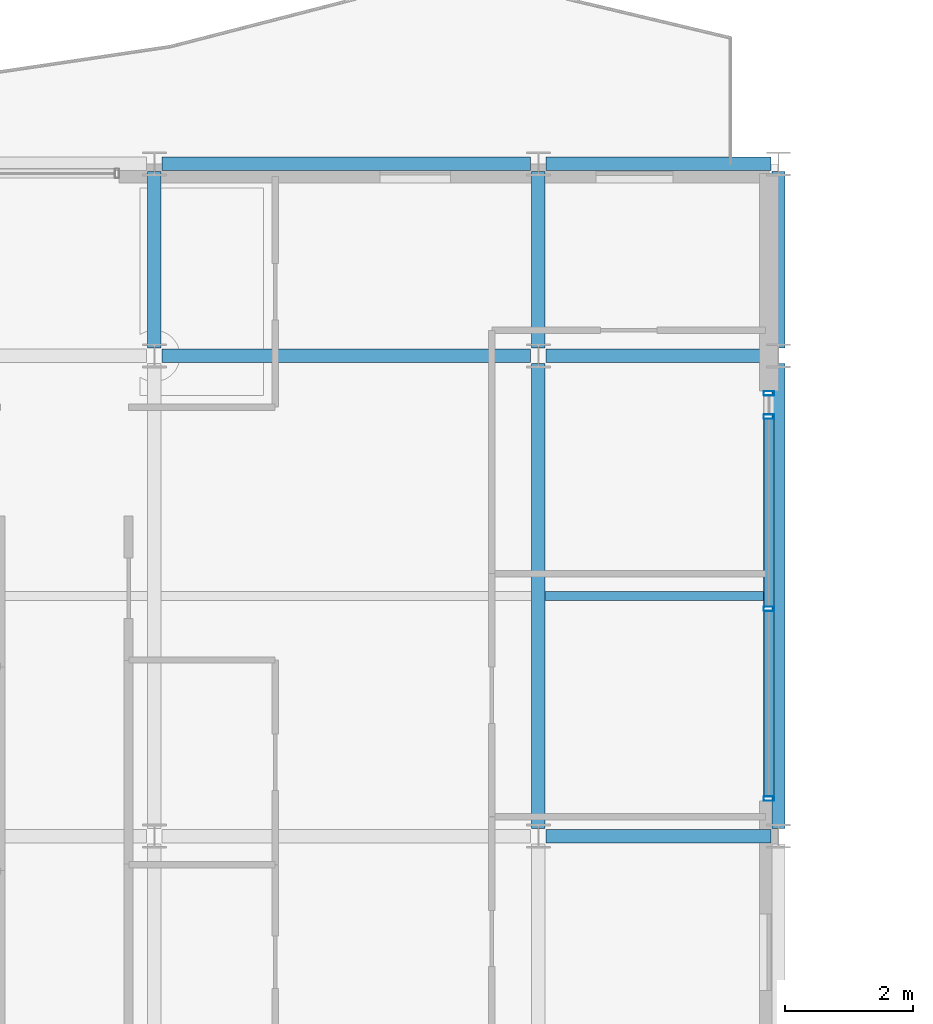
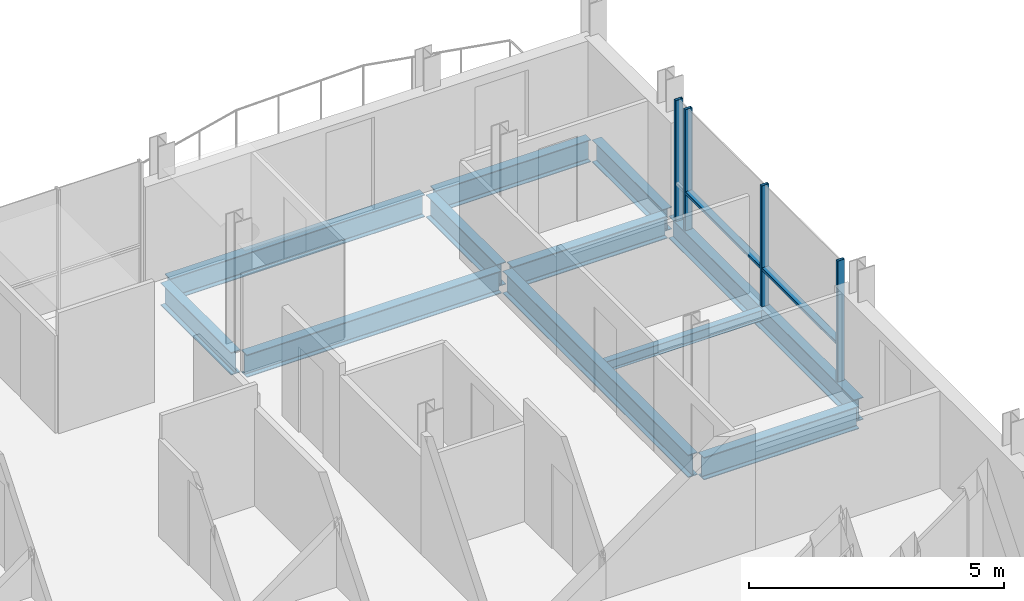
# One storey, part 9 of 29: 11 beams, 6 members, 1 element without a shape of its own.
"""IFC4 building model written with IfcOpenShell, lengths in metres."""

import ifcopenshell
import ifcopenshell.guid

model = None  # the IFC model being written
_history = None  # IfcOwnerHistory: only IFC2X3 demands one
_inside = {}  # id of a spatial element -> (the spatial element, [elements in it])
_under = {}  # id of a project, library or spatial element -> (it, [spatial elements below it])
_declared = {}  # id of a project -> (the project, [libraries it declares])
_typed = {}  # id of a type object -> (the type object, [elements of that type])
_made_of = {}  # id of a material, layer set ... -> (it, [elements and type objects made of it])


def new_model(schema):
    """Start an empty IFC model of exactly this schema.

    Asked for "IFC4X3", IfcOpenShell would pick the latest addendum, in which some entities
    have other attributes; the version numbers below select the first issue.
    IFC2X3 requires an IfcOwnerHistory on every rooted entity: one is made here for all.
    """
    global model, _history
    if schema == "IFC4X3":
        model = ifcopenshell.file(schema_version=(4, 3, 0, 0))
    else:
        model = ifcopenshell.file(schema=schema)
    _inside.clear()
    _under.clear()
    _declared.clear()
    _typed.clear()
    _made_of.clear()
    _history = None
    if model.schema == "IFC2X3":
        org = make("IfcOrganization", Name="unknown")
        user = make(
            "IfcPersonAndOrganization",
            ThePerson=make("IfcPerson", FamilyName="unknown"),
            TheOrganization=org,
        )
        app = make(
            "IfcApplication",
            ApplicationDeveloper=org,
            Version="unknown",
            ApplicationFullName="unknown",
            ApplicationIdentifier="unknown",
        )
        _history = make(
            "IfcOwnerHistory",
            OwningUser=user,
            OwningApplication=app,
            ChangeAction="ADDED",
            CreationDate=0,
        )
    return model


def make(cls, **values):
    """One entity of the class cls with the attributes given. An attribute that is None is left unset."""
    return model.create_entity(
        cls, **{name: value for name, value in values.items() if value is not None}
    )


def rooted(cls, **values):
    """An entity with a GlobalId (a new one), such as an element, a storey or a relation."""
    return make(cls, GlobalId=ifcopenshell.guid.new(), OwnerHistory=_history, **values)


def si_unit(unit_type, name, prefix=None):
    """IfcSIUnit, for example si_unit("LENGTHUNIT", "METRE", prefix="MILLI")."""
    return make("IfcSIUnit", UnitType=unit_type, Prefix=prefix, Name=name)


def assignment(units):
    """IfcUnitAssignment: the units of a project."""
    return None if units is None else make("IfcUnitAssignment", Units=units)


def point(xyz):
    """IfcCartesianPoint."""
    return None if xyz is None else make("IfcCartesianPoint", Coordinates=xyz)


def direction(xyz):
    """IfcDirection."""
    return None if xyz is None else make("IfcDirection", DirectionRatios=xyz)


def frame(location, z_axis=None, x_axis=None):
    """IfcAxis2Placement3D, a coordinate frame: its origin and axes. An axis left out is left unset."""
    return make(
        "IfcAxis2Placement3D",
        Location=point(location),
        Axis=direction(z_axis),
        RefDirection=direction(x_axis),
    )


def frame_2d(location, x_axis=None):
    """IfcAxis2Placement2D, a coordinate frame in the plane: its origin and x axis."""
    return make(
        "IfcAxis2Placement2D", Location=point(location), RefDirection=direction(x_axis)
    )


def origin():
    """The frame at (0, 0, 0) with its axes left unset."""
    return frame((0.0, 0.0, 0.0))


def origin_2d():
    """The frame at (0, 0) in the plane with its x axis left unset."""
    return frame_2d((0.0, 0.0))


def place(relative_to, where):
    """IfcLocalPlacement: puts the frame where relative to a parent placement (None: the world)."""
    return make(
        "IfcLocalPlacement", PlacementRelTo=relative_to, RelativePlacement=where
    )


def context(
    kind, dimensions, precision=None, world=None, true_north=None, identifier=None
):
    """IfcGeometricRepresentationContext, for example the 3D "Model" context."""
    return make(
        "IfcGeometricRepresentationContext",
        ContextIdentifier=identifier,
        ContextType=kind,
        CoordinateSpaceDimension=dimensions,
        Precision=precision,
        WorldCoordinateSystem=world,
        TrueNorth=true_north,
    )


def subcontext(parent, identifier, kind, view, scale=None):
    """IfcGeometricRepresentationSubContext, for example "Body" below "Model"."""
    return make(
        "IfcGeometricRepresentationSubContext",
        ContextIdentifier=identifier,
        ContextType=kind,
        ParentContext=parent,
        TargetScale=scale,
        TargetView=view,
    )


def project(units=None, contexts=None):
    """IfcProject with its units and contexts."""
    return rooted(
        "IfcProject",
        Name="project",
        RepresentationContexts=contexts,
        UnitsInContext=assignment(units),
    )


def spatial(cls, under=None, at=None, **own):
    """A site, building, storey or space (cls), placed at a placement, below another one or the project."""
    s = rooted(cls, ObjectPlacement=at, **own)
    if under is not None:
        _under.setdefault(under.id(), (under, []))[1].append(s)
    return s


def profile(cls, at=None, kind="AREA", **sizes):
    """A parametric profile (cls). Its sizes go by their IFC names, for example OverallWidth=200.0."""
    return make(cls, ProfileType=kind, Position=at, **sizes)


def hollow_rectangle(**sizes):
    """IfcRectangleHollowProfileDef."""
    return profile("IfcRectangleHollowProfileDef", **sizes)


def i_section(**sizes):
    """IfcIShapeProfileDef."""
    return profile("IfcIShapeProfileDef", **sizes)


def extrude(swept, where, along, depth):
    """IfcExtrudedAreaSolid: the profile swept, set in the frame where, extruded along a direction by depth."""
    return make(
        "IfcExtrudedAreaSolid",
        SweptArea=swept,
        Position=where,
        ExtrudedDirection=direction(along),
        Depth=depth,
    )


def shape(context_of_items, identifier, shape_type, items):
    """IfcShapeRepresentation: the items that make up one representation, for example the "Body"."""
    return make(
        "IfcShapeRepresentation",
        ContextOfItems=context_of_items,
        RepresentationIdentifier=identifier,
        RepresentationType=shape_type,
        Items=items,
    )


def material(Name=None, Category=None):
    """IfcMaterial."""
    return make("IfcMaterial", Name=Name, Category=Category)


def layer(
    of_material, thickness, ventilated=None, Name=None, Category=None, Priority=None
):
    """IfcMaterialLayer: one layer of a wall or slab, of a material (None: an air gap)."""
    return make(
        "IfcMaterialLayer",
        Material=of_material,
        LayerThickness=thickness,
        IsVentilated=ventilated,
        Name=Name,
        Category=Category,
        Priority=Priority,
    )


def layer_set(layers, Name=None):
    """IfcMaterialLayerSet."""
    return make("IfcMaterialLayerSet", MaterialLayers=layers, LayerSetName=Name)


def material_profile(
    of_material, cross_section, Name=None, Category=None, Priority=None
):
    """IfcMaterialProfile: a cross section and its material."""
    return make(
        "IfcMaterialProfile",
        Name=Name,
        Material=of_material,
        Profile=cross_section,
        Priority=Priority,
        Category=Category,
    )


def profile_set(profiles, Name=None, composite=None):
    """IfcMaterialProfileSet."""
    return make(
        "IfcMaterialProfileSet",
        Name=Name,
        MaterialProfiles=profiles,
        CompositeProfile=composite,
    )


def made_of(thing, what):
    """Note that an element or type object is made of a material, layer set ...; save() writes the relation."""
    if what is not None:
        _made_of.setdefault(what.id(), (what, []))[1].append(thing)
    return thing


def type_object(cls, material=None, **own):
    """A type object (cls), such as IfcWallType, which elements share."""
    return made_of(rooted(cls, **own), material)


def element(
    cls,
    number,
    at=None,
    inside=None,
    cuts=None,
    type_object=None,
    material=None,
    context=None,
    identifier="Body",
    shape_type=None,
    held_by="IfcProductDefinitionShape",
    body=None,
    shapes=None,
    **own,
):
    """One element of the class cls, such as IfcWall. Its Tag is "e" and its number.

    at: its placement. inside: the storey or other place that contains it. cuts: it is an
    opening in that element (IfcRelVoidsElement). A single representation is given by context,
    identifier, shape_type and body (its items); several are given by shapes. held_by: the class
    of the entity that holds the representations. save() writes the other relations.
    """
    e = rooted(cls, Tag="e%d" % number, ObjectPlacement=at, **own)
    if body is not None:
        shapes = [shape(context, identifier, shape_type, body)]
    if shapes is not None:
        e.Representation = make(held_by, Representations=shapes)
    if inside is not None:
        _inside.setdefault(inside.id(), (inside, []))[1].append(e)
    if cuts is not None:
        rooted(
            "IfcRelVoidsElement", RelatingBuildingElement=cuts, RelatedOpeningElement=e
        )
    if type_object is not None:
        _typed.setdefault(type_object.id(), (type_object, []))[1].append(e)
    return made_of(e, material)


def aggregate(whole, parts):
    """IfcRelAggregates: a whole, such as a stair, and the parts it consists of."""
    return rooted("IfcRelAggregates", RelatingObject=whole, RelatedObjects=parts)


def save(model, path):
    """Write the relations noted so far, then the file.

    IfcRelAggregates (storeys below a building ...), IfcRelContainedInSpatialStructure (elements
    in a storey), IfcRelDefinesByType, IfcRelAssociatesMaterial and IfcRelDeclares: one each for
    every whole, place, type object, material and project.
    """
    for whole, parts in _under.values():
        aggregate(whole, parts)
    for where, things in _inside.values():
        rooted(
            "IfcRelContainedInSpatialStructure",
            RelatedElements=things,
            RelatingStructure=where,
        )
    for kind, things in _typed.values():
        rooted("IfcRelDefinesByType", RelatedObjects=things, RelatingType=kind)
    for what, things in _made_of.values():
        rooted("IfcRelAssociatesMaterial", RelatedObjects=things, RelatingMaterial=what)
    for by, libraries in _declared.values():
        rooted("IfcRelDeclares", RelatingContext=by, RelatedDefinitions=libraries)
    model.write(path)


model = new_model("IFC4")

# Units and contexts
model_context = context("Model", 3, precision=1e-05, world=origin(), true_north=direction((0.0, 1.0)))
body_context = subcontext(model_context, "Body", "Model", "MODEL_VIEW")
ifc_project = project(units=[si_unit("LENGTHUNIT", "METRE"), si_unit("AREAUNIT", "SQUARE_METRE"), si_unit("VOLUMEUNIT", "CUBIC_METRE"), si_unit("PLANEANGLEUNIT", "RADIAN"), si_unit("MASSUNIT", "GRAM", prefix="KILO")], contexts=[model_context])

# Site, building, storey
site_placement = place(None, origin())
site = spatial("IfcSite", under=ifc_project, at=site_placement, CompositionType="ELEMENT")
building_placement = place(site_placement, origin())
building = spatial("IfcBuilding", under=site, at=building_placement, Name="Brevholm Reach", CompositionType="ELEMENT")
storey_placement = place(building_placement, frame((0.0, 0.0, 208.0)))
storey = spatial("IfcBuildingStorey", under=building, at=storey_placement, Name="L63", CompositionType="ELEMENT", Elevation=208.0)

# Beams
ifc_material_1 = material(Name="Structural Steel S355J2", Category="steel")
ifc_material_profile_1 = material_profile(ifc_material_1, i_section(OverallWidth=0.14599609375, OverallDepth=0.25146484375, WebThickness=0.006103515625, FlangeThickness=0.008544921875, FilletRadius=0.007568359375, at=origin_2d()), Name="UKB 254x146x31")
ifc_profile_set_1 = profile_set([ifc_material_profile_1], Name="Structural Steel S355J2")
beam_type_1 = type_object("IfcBeamType", Name="BM-B254", PredefinedType="BEAM", material=ifc_profile_set_1)
beam_1_placement = place(storey_placement, frame((18.10546875, 19.75, -0.335693359375), z_axis=(1.0, 0.0, 0.0), x_axis=(0.0, 1.0, 0.0)))
element("IfcBeam", 1, at=beam_1_placement, inside=storey, type_object=beam_type_1, Name="L63 Composite Secondary Floor Beam", PredefinedType="BEAM", context=body_context, shape_type="SweptSolid", body=[
    extrude(i_section(OverallWidth=0.14599609375, OverallDepth=0.25146484375, WebThickness=0.006103515625, FlangeThickness=0.008544921875, FilletRadius=0.007568359375, at=origin_2d()), origin(), (0.0, 0.0, 1.0), 3.539794921875),
])
ifc_material_2 = material(Name="Structural Steel S355J2", Category="steel")
ifc_material_profile_2 = material_profile(ifc_material_2, i_section(OverallWidth=0.209228515625, OverallDepth=0.533203125, WebThickness=0.010009765625, FlangeThickness=0.015625, FilletRadius=0.0126953125, at=origin_2d()), Name="UKB 533x210x92")
ifc_profile_set_2 = profile_set([ifc_material_profile_2], Name="Structural Steel S355J2")
beam_type_2 = type_object("IfcBeamType", Name="BM-SP533", PredefinedType="SPANDREL", material=ifc_profile_set_2)
beam_2_placement = place(storey_placement, frame((12.1201171875, 26.5, -0.4765625), z_axis=(1.0, 0.0, 0.0), x_axis=(0.0, 1.0, 0.0)))
element("IfcBeam", 2, at=beam_2_placement, inside=storey, type_object=beam_type_2, Name="L63 SP-02 Framing Beam", PredefinedType="SPANDREL", context=body_context, shape_type="SweptSolid", body=[
    extrude(i_section(OverallWidth=0.209228515625, OverallDepth=0.533203125, WebThickness=0.010009765625, FlangeThickness=0.015625, FilletRadius=0.0126953125, at=origin_2d()), origin(), (0.0, 0.0, 1.0), 5.759765625),
])
beam_3_placement = place(storey_placement, frame((18.1201171875, 26.5, -0.4765625), z_axis=(1.0, 0.0, 0.0), x_axis=(0.0, 1.0, 0.0)))
element("IfcBeam", 3, at=beam_3_placement, inside=storey, type_object=beam_type_2, Name="L63 SP-02 Framing Beam", PredefinedType="SPANDREL", context=body_context, shape_type="SweptSolid", body=[
    extrude(i_section(OverallWidth=0.209228515625, OverallDepth=0.533203125, WebThickness=0.010009765625, FlangeThickness=0.015625, FilletRadius=0.0126953125, at=origin_2d()), origin(), (0.0, 0.0, 1.0), 3.509765625),
])
beam_4_placement = place(storey_placement, frame((21.75, 16.1201171875, -0.4765625), z_axis=(0.0, 1.0, 0.0), x_axis=(-1.0, 0.0, 0.0)))
element("IfcBeam", 4, at=beam_4_placement, inside=storey, type_object=beam_type_2, Name="L63 SP-02 Framing Beam", PredefinedType="SPANDREL", context=body_context, shape_type="SweptSolid", body=[
    extrude(i_section(OverallWidth=0.209228515625, OverallDepth=0.533203125, WebThickness=0.010009765625, FlangeThickness=0.015625, FilletRadius=0.0126953125, at=origin_2d()), origin(), (0.0, 0.0, 1.0), 7.259765625),
])
beam_5_placement = place(storey_placement, frame((21.75, 23.6201171875, -0.4765625), z_axis=(0.0, 1.0, 0.0), x_axis=(-1.0, 0.0, 0.0)))
element("IfcBeam", 5, at=beam_5_placement, inside=storey, type_object=beam_type_2, Name="L63 SP-02 Framing Beam", PredefinedType="SPANDREL", context=body_context, shape_type="SweptSolid", body=[
    extrude(i_section(OverallWidth=0.209228515625, OverallDepth=0.533203125, WebThickness=0.010009765625, FlangeThickness=0.015625, FilletRadius=0.0126953125, at=origin_2d()), origin(), (0.0, 0.0, 1.0), 2.759765625),
])
ifc_material_3 = material(Name="Structural Steel S355J2", Category="steel")
ifc_material_profile_3 = material_profile(ifc_material_3, i_section(OverallWidth=0.210693359375, OverallDepth=0.53955078125, WebThickness=0.01171875, FlangeThickness=0.018798828125, FilletRadius=0.0126953125, at=origin_2d()), Name="UKB 533x210x109")
ifc_profile_set_3 = profile_set([ifc_material_profile_3], Name="Structural Steel S355J2")
beam_type_3 = type_object("IfcBeamType", Name="BM-SP539", PredefinedType="SPANDREL", material=ifc_profile_set_3)
beam_6_placement = place(storey_placement, frame((18.1201171875, 16.0, -0.479736328125), z_axis=(1.0, 0.0, 0.0), x_axis=(0.0, 1.0, 0.0)))
element("IfcBeam", 6, at=beam_6_placement, inside=storey, type_object=beam_type_3, Name="L63 SP-01B Framing Beam", PredefinedType="SPANDREL", context=body_context, shape_type="SweptSolid", body=[
    extrude(i_section(OverallWidth=0.210693359375, OverallDepth=0.53955078125, WebThickness=0.01171875, FlangeThickness=0.018798828125, FilletRadius=0.0126953125, at=origin_2d()), origin(), (0.0, 0.0, 1.0), 3.509765625),
])
beam_7_placement = place(storey_placement, frame((12.1201171875, 23.5, -0.479736328125), z_axis=(1.0, 0.0, 0.0), x_axis=(0.0, 1.0, 0.0)))
element("IfcBeam", 7, at=beam_7_placement, inside=storey, type_object=beam_type_3, Name="L63 SP-01B Framing Beam", PredefinedType="SPANDREL", context=body_context, shape_type="SweptSolid", body=[
    extrude(i_section(OverallWidth=0.210693359375, OverallDepth=0.53955078125, WebThickness=0.01171875, FlangeThickness=0.018798828125, FilletRadius=0.0126953125, at=origin_2d()), origin(), (0.0, 0.0, 1.0), 5.759765625),
])
beam_8_placement = place(storey_placement, frame((18.1201171875, 23.5, -0.479736328125), z_axis=(1.0, 0.0, 0.0), x_axis=(0.0, 1.0, 0.0)))
element("IfcBeam", 8, at=beam_8_placement, inside=storey, type_object=beam_type_3, Name="L63 SP-01B Framing Beam", PredefinedType="SPANDREL", context=body_context, shape_type="SweptSolid", body=[
    extrude(i_section(OverallWidth=0.210693359375, OverallDepth=0.53955078125, WebThickness=0.01171875, FlangeThickness=0.018798828125, FilletRadius=0.0126953125, at=origin_2d()), origin(), (0.0, 0.0, 1.0), 3.509765625),
])
beam_9_placement = place(storey_placement, frame((12.0, 23.6201171875, -0.479736328125), z_axis=(0.0, 1.0, 0.0), x_axis=(-1.0, 0.0, 0.0)))
element("IfcBeam", 9, at=beam_9_placement, inside=storey, type_object=beam_type_3, Name="L63 SP-01B Framing Beam", PredefinedType="SPANDREL", context=body_context, shape_type="SweptSolid", body=[
    extrude(i_section(OverallWidth=0.210693359375, OverallDepth=0.53955078125, WebThickness=0.01171875, FlangeThickness=0.018798828125, FilletRadius=0.0126953125, at=origin_2d()), origin(), (0.0, 0.0, 1.0), 2.759765625),
])
beam_10_placement = place(storey_placement, frame((18.0, 16.1201171875, -0.479736328125), z_axis=(0.0, 1.0, 0.0), x_axis=(-1.0, 0.0, 0.0)))
element("IfcBeam", 10, at=beam_10_placement, inside=storey, type_object=beam_type_3, Name="L63 SP-01B Framing Beam", PredefinedType="SPANDREL", context=body_context, shape_type="SweptSolid", body=[
    extrude(i_section(OverallWidth=0.210693359375, OverallDepth=0.53955078125, WebThickness=0.01171875, FlangeThickness=0.018798828125, FilletRadius=0.0126953125, at=origin_2d()), origin(), (0.0, 0.0, 1.0), 7.259765625),
])
beam_11_placement = place(storey_placement, frame((18.0, 23.6201171875, -0.479736328125), z_axis=(0.0, 1.0, 0.0), x_axis=(-1.0, 0.0, 0.0)))
element("IfcBeam", 11, at=beam_11_placement, inside=storey, type_object=beam_type_3, Name="L63 SP-01B Framing Beam", PredefinedType="SPANDREL", context=body_context, shape_type="SweptSolid", body=[
    extrude(i_section(OverallWidth=0.210693359375, OverallDepth=0.53955078125, WebThickness=0.01171875, FlangeThickness=0.018798828125, FilletRadius=0.0126953125, at=origin_2d()), origin(), (0.0, 0.0, 1.0), 2.759765625),
])

# Curtain wall, members
ifc_material_4 = material(Name="Dark Anodised Aluminium 6063-T6 and Solar-Control Glass", Category="aluminium")
ifc_layer = layer(ifc_material_4, 0.1650390625)
ifc_layer_set = layer_set([ifc_layer], Name="Dark Anodised Aluminium 6063-T6 and Solar-Control Glass")
curtain_wall_type = type_object("IfcCurtainWallType", Name="CW-04", PredefinedType="NOTDEFINED", material=ifc_layer_set)
curtain_wall_placement = place(storey_placement, origin())
curtain_wall = element("IfcCurtainWall", 12, at=curtain_wall_placement, inside=storey, type_object=curtain_wall_type, Name="L63 Curtain Wall CW-04", PredefinedType="NOTDEFINED")
ifc_material_5 = material(Name="Dark Anodised Aluminium 6063-T6", Category="aluminium")
ifc_material_profile_4 = material_profile(ifc_material_5, hollow_rectangle(XDim=0.070068359375, YDim=0.1650390625, WallThickness=0.0048828125, InnerFilletRadius=0.0048828125, OuterFilletRadius=0.010009765625, at=origin_2d()), Name="RHS 165x70x5")
ifc_profile_set_4 = profile_set([ifc_material_profile_4], Name="Dark Anodised Aluminium 6063-T6")
member_type_1 = type_object("IfcMemberType", Name="CWM-165", PredefinedType="MULLION", material=ifc_profile_set_4)
member_1_placement = place(storey_placement, frame((21.60009765625, 16.5849609375, 0.0), z_axis=(0.0, 0.0, 1.0), x_axis=(0.0, 1.0, 0.0)))
member_1 = element("IfcMember", 13, at=member_1_placement, type_object=member_type_1, Name="CM-165 Mullion 1", PredefinedType="MULLION", context=body_context, shape_type="SweptSolid", body=[
    extrude(hollow_rectangle(XDim=0.070068359375, YDim=0.1650390625, WallThickness=0.0048828125, InnerFilletRadius=0.0048828125, OuterFilletRadius=0.010009765625, at=origin_2d()), origin(), (0.0, 0.0, 1.0), 2.889892578125),
])
member_2_placement = place(storey_placement, frame((21.60009765625, 19.550048828125, 0.0), z_axis=(0.0, 0.0, 1.0), x_axis=(0.0, 1.0, 0.0)))
member_2 = element("IfcMember", 14, at=member_2_placement, type_object=member_type_1, Name="CM-165 Mullion 2", PredefinedType="MULLION", context=body_context, shape_type="SweptSolid", body=[
    extrude(hollow_rectangle(XDim=0.070068359375, YDim=0.1650390625, WallThickness=0.0048828125, InnerFilletRadius=0.0048828125, OuterFilletRadius=0.010009765625, at=origin_2d()), origin(), (0.0, 0.0, 1.0), 2.889892578125),
])
member_3_placement = place(storey_placement, frame((21.60009765625, 22.550048828125, 0.0), z_axis=(0.0, 0.0, 1.0), x_axis=(0.0, 1.0, 0.0)))
member_3 = element("IfcMember", 15, at=member_3_placement, type_object=member_type_1, Name="CM-165 Mullion 3", PredefinedType="MULLION", context=body_context, shape_type="SweptSolid", body=[
    extrude(hollow_rectangle(XDim=0.070068359375, YDim=0.1650390625, WallThickness=0.0048828125, InnerFilletRadius=0.0048828125, OuterFilletRadius=0.010009765625, at=origin_2d()), origin(), (0.0, 0.0, 1.0), 2.889892578125),
])
member_4_placement = place(storey_placement, frame((21.60009765625, 22.9150390625, 0.0), z_axis=(0.0, 0.0, 1.0), x_axis=(0.0, 1.0, 0.0)))
member_4 = element("IfcMember", 16, at=member_4_placement, type_object=member_type_1, Name="CM-165 Mullion 4", PredefinedType="MULLION", context=body_context, shape_type="SweptSolid", body=[
    extrude(hollow_rectangle(XDim=0.070068359375, YDim=0.1650390625, WallThickness=0.0048828125, InnerFilletRadius=0.0048828125, OuterFilletRadius=0.010009765625, at=origin_2d()), origin(), (0.0, 0.0, 1.0), 2.889892578125),
])
ifc_material_6 = material(Name="Dark Anodised Aluminium 6063-T6", Category="aluminium")
ifc_material_profile_5 = material_profile(ifc_material_6, hollow_rectangle(XDim=0.070068359375, YDim=0.1650390625, WallThickness=0.0048828125, InnerFilletRadius=0.0048828125, OuterFilletRadius=0.010009765625, at=origin_2d()), Name="RHS 165x70x5")
ifc_profile_set_5 = profile_set([ifc_material_profile_5], Name="Dark Anodised Aluminium 6063-T6")
member_type_2 = type_object("IfcMemberType", Name="CWT-165", PredefinedType="NOTDEFINED", material=ifc_profile_set_5)
member_5_placement = place(storey_placement, frame((21.60009765625, 16.6201171875, 0.89990234375), z_axis=(0.0, 1.0, 0.0), x_axis=(0.0, 0.0, 1.0)))
member_5 = element("IfcMember", 17, at=member_5_placement, type_object=member_type_2, Name="CT-165 Transom 1.1", ObjectType="TRANSOM", PredefinedType="USERDEFINED", context=body_context, shape_type="SweptSolid", body=[
    extrude(hollow_rectangle(XDim=0.070068359375, YDim=0.1650390625, WallThickness=0.0048828125, InnerFilletRadius=0.0048828125, OuterFilletRadius=0.010009765625, at=origin_2d()), origin(), (0.0, 0.0, 1.0), 2.894775390625),
])
member_6_placement = place(storey_placement, frame((21.60009765625, 19.5849609375, 0.89990234375), z_axis=(0.0, 1.0, 0.0), x_axis=(0.0, 0.0, 1.0)))
member_6 = element("IfcMember", 18, at=member_6_placement, type_object=member_type_2, Name="CT-165 Transom 2.1", ObjectType="TRANSOM", PredefinedType="USERDEFINED", context=body_context, shape_type="SweptSolid", body=[
    extrude(hollow_rectangle(XDim=0.070068359375, YDim=0.1650390625, WallThickness=0.0048828125, InnerFilletRadius=0.0048828125, OuterFilletRadius=0.010009765625, at=origin_2d()), origin(), (0.0, 0.0, 1.0), 2.929931640625),
])
aggregate(curtain_wall, [member_1, member_2, member_3, member_4, member_5, member_6])

save(model, "model.ifc")
